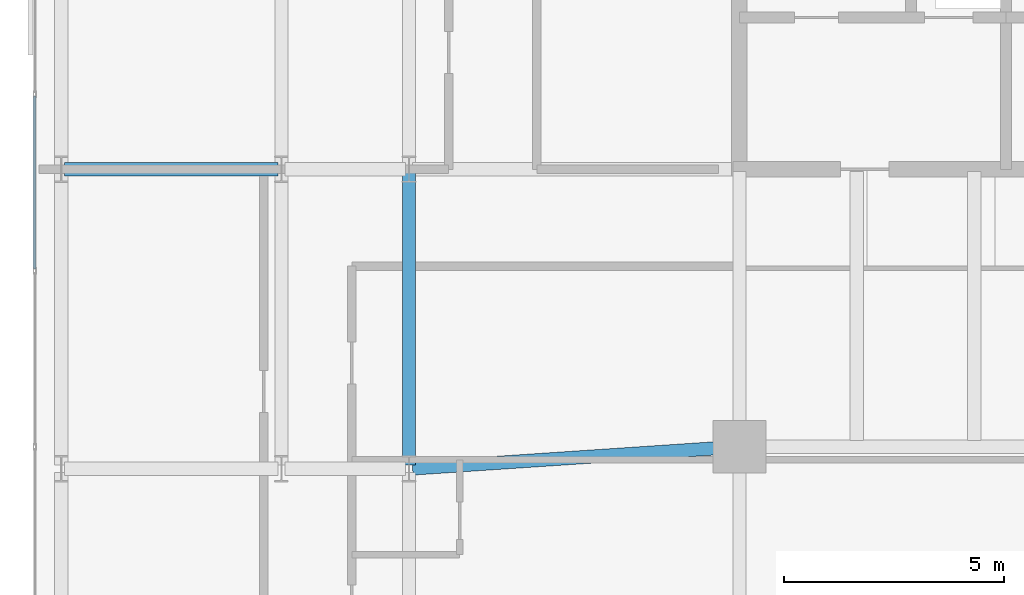
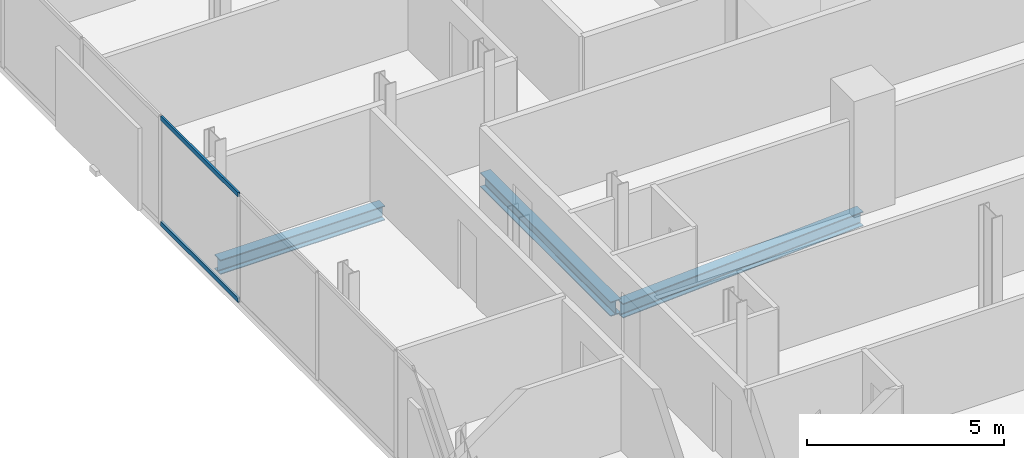
# One storey, part 10 of 32: 3 beams, 2 members, 1 element without a shape of its own.
"""IFC4 building model written with IfcOpenShell, lengths in metres."""

from ifc_helpers import new_model, si_unit, direction, frame, origin, origin_2d, place, context, subcontext, project, spatial, hollow_rectangle, i_section, extrude, material, layer, layer_set, material_profile, profile_set, type_object, element, aggregate, save


model = new_model("IFC4")

# Units and contexts
model_context = context("Model", 3, precision=1e-05, world=origin(), true_north=direction((0.0, 1.0)))
body_context = subcontext(model_context, "Body", "Model", "MODEL_VIEW")
ifc_project = project(units=[si_unit("LENGTHUNIT", "METRE"), si_unit("AREAUNIT", "SQUARE_METRE"), si_unit("VOLUMEUNIT", "CUBIC_METRE"), si_unit("PLANEANGLEUNIT", "RADIAN"), si_unit("MASSUNIT", "GRAM", prefix="KILO")], contexts=[model_context])

# Site, building, storey
site_placement = place(None, origin())
site = spatial("IfcSite", under=ifc_project, at=site_placement, CompositionType="ELEMENT")
building_placement = place(site_placement, origin())
building = spatial("IfcBuilding", under=site, at=building_placement, Name="Catumbela Crestline Tower", CompositionType="ELEMENT")
storey_placement = place(building_placement, frame((0.0, 0.0, 126.0)))
storey = spatial("IfcBuildingStorey", under=building, at=storey_placement, Name="L32", CompositionType="ELEMENT", Elevation=126.0)

# Beams
ifc_material_1 = material(Name="Structural steel S355J2", Category="steel")
ifc_material_profile_1 = material_profile(ifc_material_1, i_section(OverallWidth=0.3, OverallDepth=0.45, WebThickness=0.014, FlangeThickness=0.026, FilletRadius=0.027, at=origin_2d()), Name="HEB 450")
ifc_profile_set_1 = profile_set([ifc_material_profile_1], Name="Structural steel S355J2")
beam_type = type_object("IfcBeamType", Name="BG-HEB450", PredefinedType="BEAM", material=ifc_profile_set_1)
beam_1_placement = place(storey_placement, frame((8.5798, 24.0053, -0.485), z_axis=(0.997784796964, 0.066524423687, 0.0), x_axis=(-0.066524423687, 0.997784796964, 0.0)))
element("IfcBeam", 1, at=beam_1_placement, inside=storey, type_object=beam_type, Name="L32 Beam BM-L32-S03", PredefinedType="BEAM", context=body_context, shape_type="SweptSolid", body=[
    extrude(i_section(OverallWidth=0.3, OverallDepth=0.45, WebThickness=0.014, FlangeThickness=0.026, FilletRadius=0.027, at=origin_2d()), origin(), (0.0, 0.0, 1.0), 7.3567),
])
beam_2_placement = place(storey_placement, frame((0.68, 30.8, -0.485), z_axis=(1.0, 0.0, 0.0), x_axis=(0.0, 1.0, 0.0)))
element("IfcBeam", 2, at=beam_2_placement, inside=storey, type_object=beam_type, Name="L32 Beam BM-L32-M07", PredefinedType="BEAM", context=body_context, shape_type="SweptSolid", body=[
    extrude(i_section(OverallWidth=0.3, OverallDepth=0.45, WebThickness=0.014, FlangeThickness=0.026, FilletRadius=0.027, at=origin_2d()), origin(), (0.0, 0.0, 1.0), 4.84),
])
beam_3_placement = place(storey_placement, frame((8.5, 24.08, -0.485), z_axis=(0.0, 1.0, 0.0), x_axis=(-1.0, 0.0, 0.0)))
element("IfcBeam", 3, at=beam_3_placement, inside=storey, type_object=beam_type, Name="L32 Beam BM-L32-SN26", PredefinedType="BEAM", context=body_context, shape_type="SweptSolid", body=[
    extrude(i_section(OverallWidth=0.3, OverallDepth=0.45, WebThickness=0.014, FlangeThickness=0.026, FilletRadius=0.027, at=origin_2d()), origin(), (0.0, 0.0, 1.0), 6.64),
])

# Curtain wall, members
ifc_material_2 = material(Name="Aluminium alloy AW-6060-T66", Category="aluminium")
ifc_layer = layer(ifc_material_2, 0.18, Name="Aluminium alloy AW-6060-T66")
ifc_layer_set = layer_set([ifc_layer], Name="Aluminium alloy AW-6060-T66")
curtain_wall_type = type_object("IfcCurtainWallType", Name="CWU-Z2", PredefinedType="USERDEFINED", material=ifc_layer_set)
curtain_wall_placement = place(storey_placement, origin())
curtain_wall = element("IfcCurtainWall", 4, at=curtain_wall_placement, inside=storey, type_object=curtain_wall_type, Name="L32 Unitised Curtain Wall CW-L32-E9S1", ObjectType="UNITISED", PredefinedType="USERDEFINED")
ifc_material_profile_2 = material_profile(ifc_material_2, hollow_rectangle(XDim=0.06, YDim=0.14, WallThickness=0.004, at=origin_2d()), Name="ALU 140x60x4")
ifc_profile_set_2 = profile_set([ifc_material_profile_2], Name="Aluminium alloy AW-6060-T66")
member_type = type_object("IfcMemberType", Name="TRN-140X60", PredefinedType="USERDEFINED", material=ifc_profile_set_2)
member_1_placement = place(storey_placement, frame((0.0, 32.4675, 0.03), z_axis=(0.0, -1.0, 0.0), x_axis=(1.0, 0.0, 0.0)))
member_1 = element("IfcMember", 5, at=member_1_placement, type_object=member_type, Name="CWU-Z2 transom 4.1", ObjectType="TRANSOM", PredefinedType="USERDEFINED", context=body_context, shape_type="SweptSolid", body=[
    extrude(hollow_rectangle(XDim=0.06, YDim=0.14, WallThickness=0.004, at=origin_2d()), origin(), (0.0, 0.0, 1.0), 3.935),
])
member_2_placement = place(storey_placement, frame((0.0, 32.4675, 3.3), z_axis=(0.0, -1.0, 0.0), x_axis=(1.0, 0.0, 0.0)))
member_2 = element("IfcMember", 6, at=member_2_placement, type_object=member_type, Name="CWU-Z2 transom 4.2", ObjectType="TRANSOM", PredefinedType="USERDEFINED", context=body_context, shape_type="SweptSolid", body=[
    extrude(hollow_rectangle(XDim=0.06, YDim=0.14, WallThickness=0.004, at=origin_2d()), origin(), (0.0, 0.0, 1.0), 3.935),
])
aggregate(curtain_wall, [member_1, member_2])

save(model, "model.ifc")
